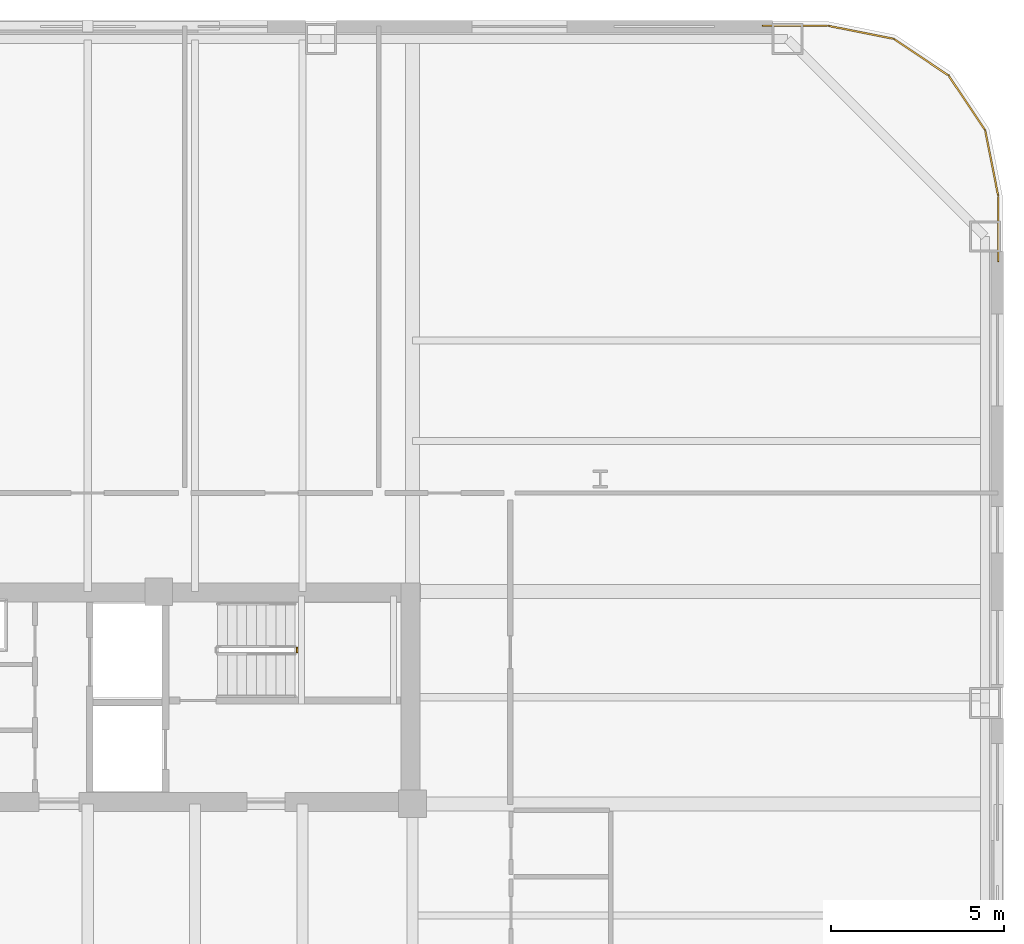
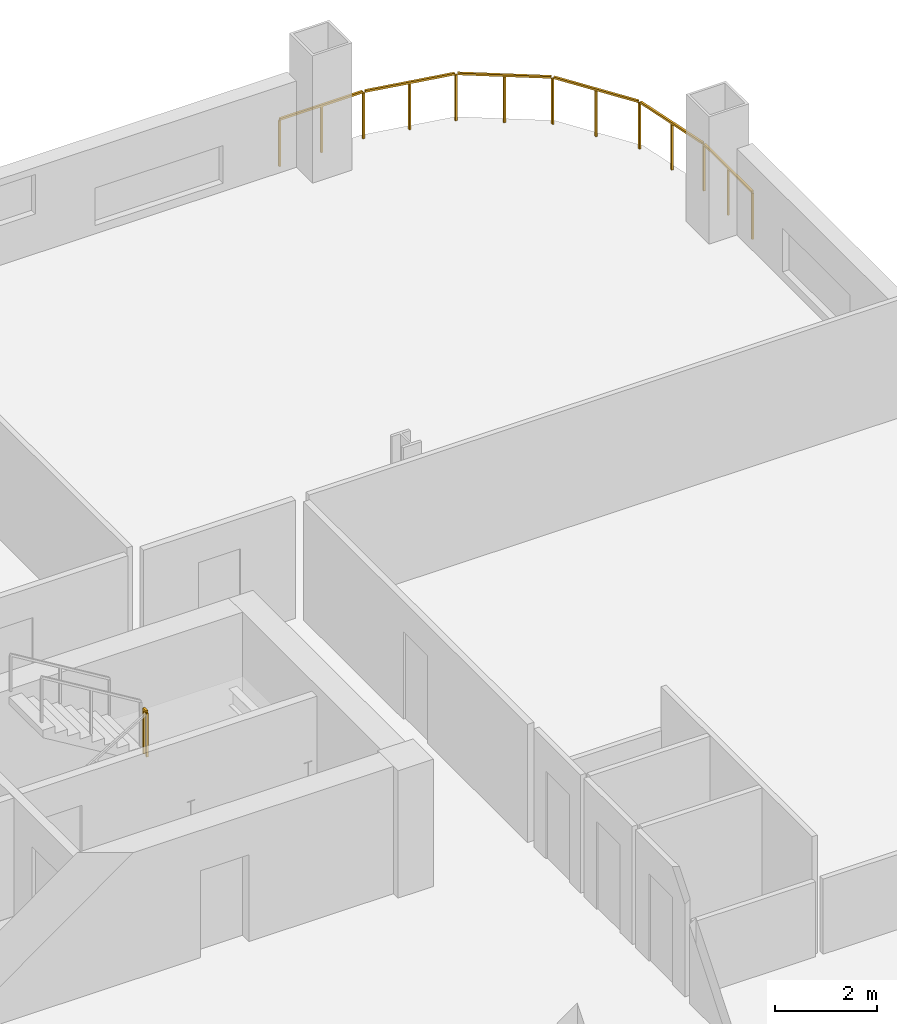
# One storey, part 12 of 12: 2 railings.
"""IFC4 building model written with IfcOpenShell, lengths in metres."""

from ifc_helpers import new_model, si_unit, direction, frame, origin, origin_2d, place, context, subcontext, project, spatial, rectangle, extrude, material, type_object, element, save


model = new_model("IFC4")

# Units and contexts
model_context = context("Model", 3, precision=1e-05, world=origin(), true_north=direction((0.0, 1.0)))
body_context = subcontext(model_context, "Body", "Model", "MODEL_VIEW")
ifc_project = project(units=[si_unit("LENGTHUNIT", "METRE"), si_unit("AREAUNIT", "SQUARE_METRE"), si_unit("VOLUMEUNIT", "CUBIC_METRE"), si_unit("PLANEANGLEUNIT", "RADIAN"), si_unit("MASSUNIT", "GRAM", prefix="KILO")], contexts=[model_context])

# Site, building, storey
site_placement = place(None, origin())
site = spatial("IfcSite", under=ifc_project, at=site_placement, CompositionType="ELEMENT")
building_placement = place(site_placement, origin())
building = spatial("IfcBuilding", under=site, at=building_placement, Name="Qhalaya Broadcast Tower", CompositionType="ELEMENT")
storey_placement = place(building_placement, frame((0.0, 0.0, 35.25)))
storey = spatial("IfcBuildingStorey", under=building, at=storey_placement, Name="L09", CompositionType="ELEMENT", Elevation=35.25)

# Railings
ifc_material = material(Name="Powder-Coated Galvanised Steel", Category="steel")
railing_type_1 = type_object("IfcRailingType", Name="Stair Well & Landing Guardrail 1100", PredefinedType="GUARDRAIL", material=ifc_material)
railing_1_placement = place(storey_placement, frame((6.0400390625, 8.199951171875, 1.52490234375)))
element("IfcRailing", 1, at=railing_1_placement, inside=storey, type_object=railing_type_1, Name="L09 ST-1 Stair Guard 2", PredefinedType="GUARDRAIL", context=body_context, shape_type="SweptSolid", body=[
    extrude(rectangle(XDim=0.048095703125, YDim=0.048095703125, at=origin_2d()), frame((0.0, 0.0, 1.076171875), z_axis=(0.0, 1.0, 0.0), x_axis=(-1.0, 0.0, 0.0)), (0.0, 0.0, 1.0), 0.1201171875),
    extrude(rectangle(XDim=0.0419921875, YDim=0.0419921875, at=origin_2d()), origin(), (0.0, 0.0, 1.0), 1.050048828125),
    extrude(rectangle(XDim=0.0419921875, YDim=0.0419921875, at=origin_2d()), frame((0.0, 0.1201171875, 0.0)), (0.0, 0.0, 1.0), 1.050048828125),
])
railing_type_2 = type_object("IfcRailingType", Name="Terrace, Sky-Pool & Lookout Glass Balustrade 1150", PredefinedType="BALUSTRADE", material=ifc_material)
railing_2_placement = place(storey_placement, frame((19.48193359375, 26.280029296875, 0.0)))
element("IfcRailing", 2, at=railing_2_placement, inside=storey, type_object=railing_type_2, Name="L09 Rounded Corner Perimeter Guard 04", PredefinedType="BALUSTRADE", context=body_context, shape_type="SweptSolid", body=[
    extrude(rectangle(XDim=0.048095703125, YDim=0.048095703125, at=origin_2d()), frame((0.0, 0.0, 1.1259765625), z_axis=(1.0, 0.0, 0.0), x_axis=(0.0, 1.0, 0.0)), (0.0, 0.0, 1.0), 1.87744140625),
    extrude(rectangle(XDim=0.048095703125, YDim=0.048095703125, at=origin_2d()), frame((1.9345703125, -0.005615234375, 1.1259765625), z_axis=(0.980795810058, -0.195037378397, 0.0), x_axis=(0.195037378397, 0.980795810058, 0.0)), (0.0, 0.0, 1.0), 1.857421875),
    extrude(rectangle(XDim=0.048095703125, YDim=0.048095703125, at=origin_2d()), frame((3.80859375, -0.3896484375, 1.1259765625), z_axis=(0.831477548332, -0.555558355728, 0.0), x_axis=(0.555558355728, 0.831477548332, 0.0)), (0.0, 0.0, 1.0), 1.845458984375),
    extrude(rectangle(XDim=0.048095703125, YDim=0.048095703125, at=origin_2d()), frame((5.38330078125, -1.454833984375, 1.1259765625), z_axis=(0.555558355728, -0.831477548332, 0.0), x_axis=(0.831477548332, 0.555558355728, 0.0)), (0.0, 0.0, 1.0), 1.845458984375),
    extrude(rectangle(XDim=0.048095703125, YDim=0.048095703125, at=origin_2d()), frame((6.43017578125, -3.041748046875, 1.1259765625), z_axis=(0.195037378397, -0.980795810058, 0.0), x_axis=(0.980795810058, 0.195037378397, 0.0)), (0.0, 0.0, 1.0), 1.857421875),
    extrude(rectangle(XDim=0.048095703125, YDim=0.048095703125, at=origin_2d()), frame((6.798095703125, -4.920654296875, 1.1259765625), z_axis=(0.0, -1.0, 0.0), x_axis=(1.0, 0.0, 0.0)), (0.0, 0.0, 1.0), 1.87744140625),
    extrude(rectangle(XDim=0.0419921875, YDim=0.0419921875, at=origin_2d()), origin(), (0.0, 0.0, 1.0), 1.099853515625),
    extrude(rectangle(XDim=0.0419921875, YDim=0.0419921875, at=origin_2d()), frame((0.953125, 0.0, 0.0)), (0.0, 0.0, 1.0), 1.099853515625),
    extrude(rectangle(XDim=0.0419921875, YDim=0.0419921875, at=origin_2d()), frame((1.90625, 0.0, 0.0)), (0.0, 0.0, 1.0), 1.099853515625),
    extrude(rectangle(XDim=0.0419921875, YDim=0.0419921875, at=origin_2d()), frame((2.845458984375, -0.186767578125, 0.0)), (0.0, 0.0, 1.0), 1.099853515625),
    extrude(rectangle(XDim=0.0419921875, YDim=0.0419921875, at=origin_2d()), frame((3.78466796875, -0.37353515625, 0.0)), (0.0, 0.0, 1.0), 1.099853515625),
    extrude(rectangle(XDim=0.0419921875, YDim=0.0419921875, at=origin_2d()), frame((4.575927734375, -0.90234375, 0.0)), (0.0, 0.0, 1.0), 1.099853515625),
    extrude(rectangle(XDim=0.0419921875, YDim=0.0419921875, at=origin_2d()), frame((5.3671875, -1.430908203125, 0.0)), (0.0, 0.0, 1.0), 1.099853515625),
    extrude(rectangle(XDim=0.0419921875, YDim=0.0419921875, at=origin_2d()), frame((5.89599609375, -2.22216796875, 0.0)), (0.0, 0.0, 1.0), 1.099853515625),
    extrude(rectangle(XDim=0.0419921875, YDim=0.0419921875, at=origin_2d()), frame((6.424560546875, -3.013427734375, 0.0)), (0.0, 0.0, 1.0), 1.099853515625),
    extrude(rectangle(XDim=0.0419921875, YDim=0.0419921875, at=origin_2d()), frame((6.611328125, -3.95263671875, 0.0)), (0.0, 0.0, 1.0), 1.099853515625),
    extrude(rectangle(XDim=0.0419921875, YDim=0.0419921875, at=origin_2d()), frame((6.798095703125, -4.891845703125, 0.0)), (0.0, 0.0, 1.0), 1.099853515625),
    extrude(rectangle(XDim=0.0419921875, YDim=0.0419921875, at=origin_2d()), frame((6.798095703125, -5.844970703125, 0.0)), (0.0, 0.0, 1.0), 1.099853515625),
    extrude(rectangle(XDim=0.0419921875, YDim=0.0419921875, at=origin_2d()), frame((6.798095703125, -6.798095703125, 0.0)), (0.0, 0.0, 1.0), 1.099853515625),
])

save(model, "model.ifc")
